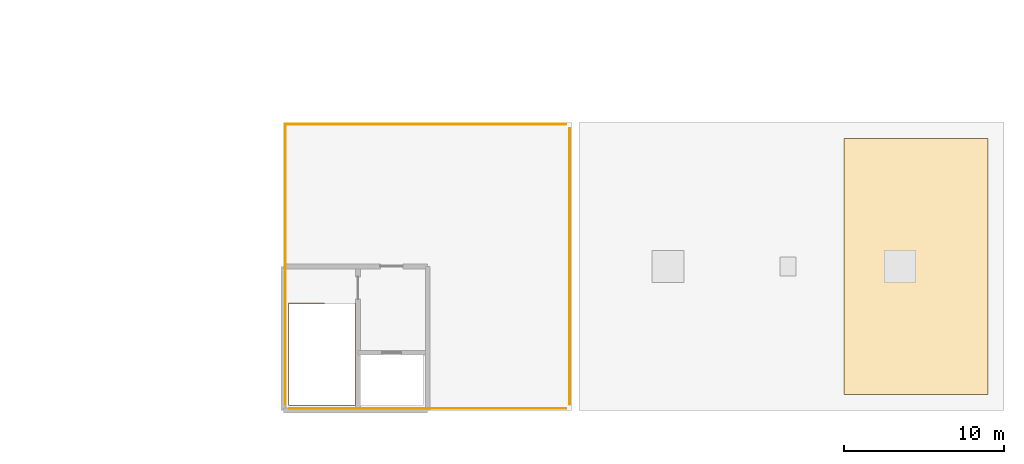
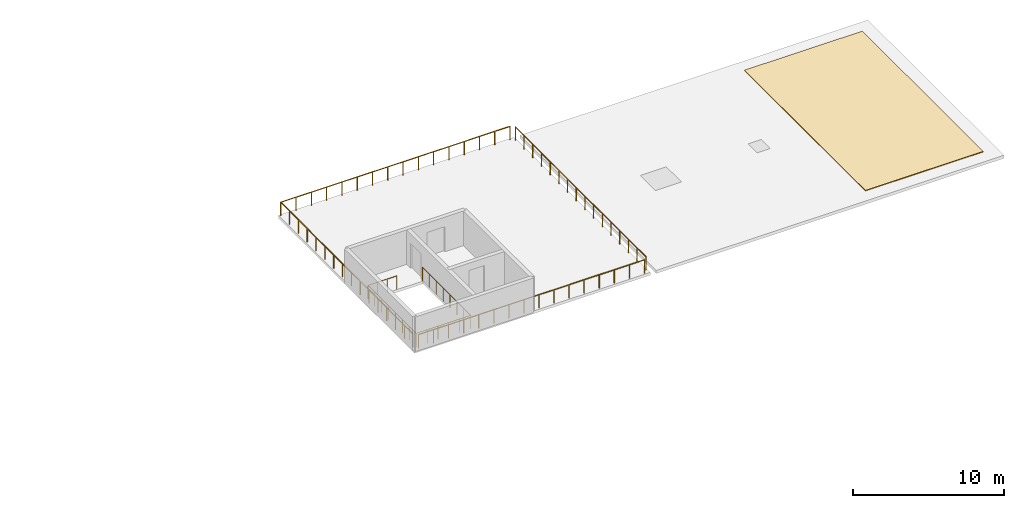
# One storey, part 30 of 30: 5 railings, 1 covering.
"""IFC4 building model written with IfcOpenShell, lengths in metres."""

import ifcopenshell
import ifcopenshell.guid

model = None  # the IFC model being written
_history = None  # IfcOwnerHistory: only IFC2X3 demands one
_inside = {}  # id of a spatial element -> (the spatial element, [elements in it])
_under = {}  # id of a project, library or spatial element -> (it, [spatial elements below it])
_declared = {}  # id of a project -> (the project, [libraries it declares])
_typed = {}  # id of a type object -> (the type object, [elements of that type])
_made_of = {}  # id of a material, layer set ... -> (it, [elements and type objects made of it])


def new_model(schema):
    """Start an empty IFC model of exactly this schema.

    Asked for "IFC4X3", IfcOpenShell would pick the latest addendum, in which some entities
    have other attributes; the version numbers below select the first issue.
    IFC2X3 requires an IfcOwnerHistory on every rooted entity: one is made here for all.
    """
    global model, _history
    if schema == "IFC4X3":
        model = ifcopenshell.file(schema_version=(4, 3, 0, 0))
    else:
        model = ifcopenshell.file(schema=schema)
    _inside.clear()
    _under.clear()
    _declared.clear()
    _typed.clear()
    _made_of.clear()
    _history = None
    if model.schema == "IFC2X3":
        org = make("IfcOrganization", Name="unknown")
        user = make(
            "IfcPersonAndOrganization",
            ThePerson=make("IfcPerson", FamilyName="unknown"),
            TheOrganization=org,
        )
        app = make(
            "IfcApplication",
            ApplicationDeveloper=org,
            Version="unknown",
            ApplicationFullName="unknown",
            ApplicationIdentifier="unknown",
        )
        _history = make(
            "IfcOwnerHistory",
            OwningUser=user,
            OwningApplication=app,
            ChangeAction="ADDED",
            CreationDate=0,
        )
    return model


def make(cls, **values):
    """One entity of the class cls with the attributes given. An attribute that is None is left unset."""
    return model.create_entity(
        cls, **{name: value for name, value in values.items() if value is not None}
    )


def rooted(cls, **values):
    """An entity with a GlobalId (a new one), such as an element, a storey or a relation."""
    return make(cls, GlobalId=ifcopenshell.guid.new(), OwnerHistory=_history, **values)


def si_unit(unit_type, name, prefix=None):
    """IfcSIUnit, for example si_unit("LENGTHUNIT", "METRE", prefix="MILLI")."""
    return make("IfcSIUnit", UnitType=unit_type, Prefix=prefix, Name=name)


def assignment(units):
    """IfcUnitAssignment: the units of a project."""
    return None if units is None else make("IfcUnitAssignment", Units=units)


def point(xyz):
    """IfcCartesianPoint."""
    return None if xyz is None else make("IfcCartesianPoint", Coordinates=xyz)


def direction(xyz):
    """IfcDirection."""
    return None if xyz is None else make("IfcDirection", DirectionRatios=xyz)


def frame(location, z_axis=None, x_axis=None):
    """IfcAxis2Placement3D, a coordinate frame: its origin and axes. An axis left out is left unset."""
    return make(
        "IfcAxis2Placement3D",
        Location=point(location),
        Axis=direction(z_axis),
        RefDirection=direction(x_axis),
    )


def frame_2d(location, x_axis=None):
    """IfcAxis2Placement2D, a coordinate frame in the plane: its origin and x axis."""
    return make(
        "IfcAxis2Placement2D", Location=point(location), RefDirection=direction(x_axis)
    )


def origin():
    """The frame at (0, 0, 0) with its axes left unset."""
    return frame((0.0, 0.0, 0.0))


def origin_2d():
    """The frame at (0, 0) in the plane with its x axis left unset."""
    return frame_2d((0.0, 0.0))


def place(relative_to, where):
    """IfcLocalPlacement: puts the frame where relative to a parent placement (None: the world)."""
    return make(
        "IfcLocalPlacement", PlacementRelTo=relative_to, RelativePlacement=where
    )


def context(
    kind, dimensions, precision=None, world=None, true_north=None, identifier=None
):
    """IfcGeometricRepresentationContext, for example the 3D "Model" context."""
    return make(
        "IfcGeometricRepresentationContext",
        ContextIdentifier=identifier,
        ContextType=kind,
        CoordinateSpaceDimension=dimensions,
        Precision=precision,
        WorldCoordinateSystem=world,
        TrueNorth=true_north,
    )


def subcontext(parent, identifier, kind, view, scale=None):
    """IfcGeometricRepresentationSubContext, for example "Body" below "Model"."""
    return make(
        "IfcGeometricRepresentationSubContext",
        ContextIdentifier=identifier,
        ContextType=kind,
        ParentContext=parent,
        TargetScale=scale,
        TargetView=view,
    )


def project(units=None, contexts=None):
    """IfcProject with its units and contexts."""
    return rooted(
        "IfcProject",
        Name="project",
        RepresentationContexts=contexts,
        UnitsInContext=assignment(units),
    )


def spatial(cls, under=None, at=None, **own):
    """A site, building, storey or space (cls), placed at a placement, below another one or the project."""
    s = rooted(cls, ObjectPlacement=at, **own)
    if under is not None:
        _under.setdefault(under.id(), (under, []))[1].append(s)
    return s


def polyline(points):
    """IfcPolyline through the points."""
    return make("IfcPolyline", Points=[point(p) for p in points])


def profile(cls, at=None, kind="AREA", **sizes):
    """A parametric profile (cls). Its sizes go by their IFC names, for example OverallWidth=200.0."""
    return make(cls, ProfileType=kind, Position=at, **sizes)


def circle(**sizes):
    """IfcCircleProfileDef."""
    return profile("IfcCircleProfileDef", **sizes)


def outline(outer, holes=None, kind="AREA"):
    """IfcArbitraryClosedProfileDef: a profile drawn as a closed curve; with holes, ...WithVoids."""
    if holes is None:
        return make("IfcArbitraryClosedProfileDef", ProfileType=kind, OuterCurve=outer)
    return make(
        "IfcArbitraryProfileDefWithVoids",
        ProfileType=kind,
        OuterCurve=outer,
        InnerCurves=holes,
    )


def extrude(swept, where, along, depth):
    """IfcExtrudedAreaSolid: the profile swept, set in the frame where, extruded along a direction by depth."""
    return make(
        "IfcExtrudedAreaSolid",
        SweptArea=swept,
        Position=where,
        ExtrudedDirection=direction(along),
        Depth=depth,
    )


def shape(context_of_items, identifier, shape_type, items):
    """IfcShapeRepresentation: the items that make up one representation, for example the "Body"."""
    return make(
        "IfcShapeRepresentation",
        ContextOfItems=context_of_items,
        RepresentationIdentifier=identifier,
        RepresentationType=shape_type,
        Items=items,
    )


def material(Name=None, Category=None):
    """IfcMaterial."""
    return make("IfcMaterial", Name=Name, Category=Category)


def layer(
    of_material, thickness, ventilated=None, Name=None, Category=None, Priority=None
):
    """IfcMaterialLayer: one layer of a wall or slab, of a material (None: an air gap)."""
    return make(
        "IfcMaterialLayer",
        Material=of_material,
        LayerThickness=thickness,
        IsVentilated=ventilated,
        Name=Name,
        Category=Category,
        Priority=Priority,
    )


def layer_set(layers, Name=None):
    """IfcMaterialLayerSet."""
    return make("IfcMaterialLayerSet", MaterialLayers=layers, LayerSetName=Name)


def made_of(thing, what):
    """Note that an element or type object is made of a material, layer set ...; save() writes the relation."""
    if what is not None:
        _made_of.setdefault(what.id(), (what, []))[1].append(thing)
    return thing


def type_object(cls, material=None, **own):
    """A type object (cls), such as IfcWallType, which elements share."""
    return made_of(rooted(cls, **own), material)


def element(
    cls,
    number,
    at=None,
    inside=None,
    cuts=None,
    type_object=None,
    material=None,
    context=None,
    identifier="Body",
    shape_type=None,
    held_by="IfcProductDefinitionShape",
    body=None,
    shapes=None,
    **own,
):
    """One element of the class cls, such as IfcWall. Its Tag is "e" and its number.

    at: its placement. inside: the storey or other place that contains it. cuts: it is an
    opening in that element (IfcRelVoidsElement). A single representation is given by context,
    identifier, shape_type and body (its items); several are given by shapes. held_by: the class
    of the entity that holds the representations. save() writes the other relations.
    """
    e = rooted(cls, Tag="e%d" % number, ObjectPlacement=at, **own)
    if body is not None:
        shapes = [shape(context, identifier, shape_type, body)]
    if shapes is not None:
        e.Representation = make(held_by, Representations=shapes)
    if inside is not None:
        _inside.setdefault(inside.id(), (inside, []))[1].append(e)
    if cuts is not None:
        rooted(
            "IfcRelVoidsElement", RelatingBuildingElement=cuts, RelatedOpeningElement=e
        )
    if type_object is not None:
        _typed.setdefault(type_object.id(), (type_object, []))[1].append(e)
    return made_of(e, material)


def aggregate(whole, parts):
    """IfcRelAggregates: a whole, such as a stair, and the parts it consists of."""
    return rooted("IfcRelAggregates", RelatingObject=whole, RelatedObjects=parts)


def save(model, path):
    """Write the relations noted so far, then the file.

    IfcRelAggregates (storeys below a building ...), IfcRelContainedInSpatialStructure (elements
    in a storey), IfcRelDefinesByType, IfcRelAssociatesMaterial and IfcRelDeclares: one each for
    every whole, place, type object, material and project.
    """
    for whole, parts in _under.values():
        aggregate(whole, parts)
    for where, things in _inside.values():
        rooted(
            "IfcRelContainedInSpatialStructure",
            RelatedElements=things,
            RelatingStructure=where,
        )
    for kind, things in _typed.values():
        rooted("IfcRelDefinesByType", RelatedObjects=things, RelatingType=kind)
    for what, things in _made_of.values():
        rooted("IfcRelAssociatesMaterial", RelatedObjects=things, RelatingMaterial=what)
    for by, libraries in _declared.values():
        rooted("IfcRelDeclares", RelatingContext=by, RelatedDefinitions=libraries)
    model.write(path)


model = new_model("IFC4")

# Units and contexts
model_context = context("Model", 3, precision=1e-05, world=origin(), true_north=direction((0.0, 1.0)))
body_context = subcontext(model_context, "Body", "Model", "MODEL_VIEW")
ifc_project = project(units=[si_unit("LENGTHUNIT", "METRE"), si_unit("AREAUNIT", "SQUARE_METRE"), si_unit("VOLUMEUNIT", "CUBIC_METRE"), si_unit("PLANEANGLEUNIT", "RADIAN"), si_unit("MASSUNIT", "GRAM", prefix="KILO")], contexts=[model_context])

# Site, building, storey
site_placement = place(None, origin())
site = spatial("IfcSite", under=ifc_project, at=site_placement, CompositionType="ELEMENT")
building_placement = place(site_placement, origin())
building = spatial("IfcBuilding", under=site, at=building_placement, Name="Palais des Congres Ocreval", CompositionType="ELEMENT")
storey_placement = place(building_placement, frame((0.0, 0.0, 14.56005859375)))
storey = spatial("IfcBuildingStorey", under=building, at=storey_placement, Name="L04", CompositionType="ELEMENT", Elevation=14.56005859375)

# Railings
ifc_material_1 = material(Name="Steel S355", Category="steel")
railing_type_1 = type_object("IfcRailingType", Name="Stairwell Steel Guardrail 1100", PredefinedType="GUARDRAIL", material=ifc_material_1)
railing_1_placement = place(storey_placement, frame((110.52001953125, 6.699951171875, 0.0)))
element("IfcRailing", 1, at=railing_1_placement, inside=storey, type_object=railing_type_1, Name="Top-Landing Stairwell Perimeter Guard ST09 L04", PredefinedType="GUARDRAIL", context=body_context, shape_type="SweptSolid", body=[
    extrude(circle(Radius=0.02392578125, at=origin_2d()), frame((0.0, 0.0, 1.076171875), z_axis=(-1.0, 0.0, 0.0), x_axis=(0.0, -1.0, 0.0)), (0.0, 0.0, 1.0), 2.199951171875),
    extrude(circle(Radius=0.02392578125, at=origin_2d()), frame((-2.199951171875, 0.0, 1.076171875), z_axis=(0.0, -1.0, 0.0), x_axis=(1.0, 0.0, 0.0)), (0.0, 0.0, 1.0), 6.3798828125),
    extrude(circle(Radius=0.02392578125, at=origin_2d()), frame((-2.199951171875, -6.3798828125, 1.076171875), z_axis=(1.0, 0.0, 0.0), x_axis=(0.0, 1.0, 0.0)), (0.0, 0.0, 1.0), 4.159912109375),
    extrude(circle(Radius=0.02392578125, at=origin_2d()), frame((1.9599609375, -6.3798828125, 1.076171875), z_axis=(0.0, 1.0, 0.0), x_axis=(-1.0, 0.0, 0.0)), (0.0, 0.0, 1.0), 6.3798828125),
    extrude(circle(Radius=0.02099609375, at=origin_2d()), origin(), (0.0, 0.0, 1.0), 1.052001953125),
    extrude(circle(Radius=0.02099609375, at=origin_2d()), frame((-0.7333984375, 0.0, 0.0)), (0.0, 0.0, 1.0), 1.052001953125),
    extrude(circle(Radius=0.02099609375, at=origin_2d()), frame((-1.466552734375, 0.0, 0.0)), (0.0, 0.0, 1.0), 1.052001953125),
    extrude(circle(Radius=0.02099609375, at=origin_2d()), frame((-2.199951171875, 0.0, 0.0)), (0.0, 0.0, 1.0), 1.052001953125),
    extrude(circle(Radius=0.02099609375, at=origin_2d()), frame((-2.199951171875, -0.911376953125, 0.0)), (0.0, 0.0, 1.0), 1.052001953125),
    extrude(circle(Radius=0.02099609375, at=origin_2d()), frame((-2.199951171875, -1.82275390625, 0.0)), (0.0, 0.0, 1.0), 1.052001953125),
    extrude(circle(Radius=0.02099609375, at=origin_2d()), frame((-2.199951171875, -2.734130859375, 0.0)), (0.0, 0.0, 1.0), 1.052001953125),
    extrude(circle(Radius=0.02099609375, at=origin_2d()), frame((-2.199951171875, -3.645751953125, 0.0)), (0.0, 0.0, 1.0), 1.052001953125),
    extrude(circle(Radius=0.02099609375, at=origin_2d()), frame((-2.199951171875, -4.55712890625, 0.0)), (0.0, 0.0, 1.0), 1.052001953125),
    extrude(circle(Radius=0.02099609375, at=origin_2d()), frame((-2.199951171875, -5.468505859375, 0.0)), (0.0, 0.0, 1.0), 1.052001953125),
    extrude(circle(Radius=0.02099609375, at=origin_2d()), frame((-2.199951171875, -6.3798828125, 0.0)), (0.0, 0.0, 1.0), 1.052001953125),
    extrude(circle(Radius=0.02099609375, at=origin_2d()), frame((-1.367919921875, -6.3798828125, 0.0)), (0.0, 0.0, 1.0), 1.052001953125),
    extrude(circle(Radius=0.02099609375, at=origin_2d()), frame((-0.535888671875, -6.3798828125, 0.0)), (0.0, 0.0, 1.0), 1.052001953125),
    extrude(circle(Radius=0.02099609375, at=origin_2d()), frame((0.2958984375, -6.3798828125, 0.0)), (0.0, 0.0, 1.0), 1.052001953125),
    extrude(circle(Radius=0.02099609375, at=origin_2d()), frame((1.1279296875, -6.3798828125, 0.0)), (0.0, 0.0, 1.0), 1.052001953125),
    extrude(circle(Radius=0.02099609375, at=origin_2d()), frame((1.9599609375, -6.3798828125, 0.0)), (0.0, 0.0, 1.0), 1.052001953125),
    extrude(circle(Radius=0.02099609375, at=origin_2d()), frame((1.9599609375, -5.468505859375, 0.0)), (0.0, 0.0, 1.0), 1.052001953125),
    extrude(circle(Radius=0.02099609375, at=origin_2d()), frame((1.9599609375, -4.55712890625, 0.0)), (0.0, 0.0, 1.0), 1.052001953125),
    extrude(circle(Radius=0.02099609375, at=origin_2d()), frame((1.9599609375, -3.645751953125, 0.0)), (0.0, 0.0, 1.0), 1.052001953125),
    extrude(circle(Radius=0.02099609375, at=origin_2d()), frame((1.9599609375, -2.734130859375, 0.0)), (0.0, 0.0, 1.0), 1.052001953125),
    extrude(circle(Radius=0.02099609375, at=origin_2d()), frame((1.9599609375, -1.82275390625, 0.0)), (0.0, 0.0, 1.0), 1.052001953125),
    extrude(circle(Radius=0.02099609375, at=origin_2d()), frame((1.9599609375, -0.911376953125, 0.0)), (0.0, 0.0, 1.0), 1.052001953125),
    extrude(circle(Radius=0.02099609375, at=origin_2d()), frame((1.9599609375, 0.0, 0.0)), (0.0, 0.0, 1.0), 1.052001953125),
])
ifc_material_2 = material(Name="Anodized bronze aluminium", Category="aluminium")
railing_type_2 = type_object("IfcRailingType", Name="Terrace Bronze Balustrade 1100", PredefinedType="BALUSTRADE", material=ifc_material_2)
railing_2_placement = place(storey_placement, frame((108.3798828125, 0.1201171875, 0.0)))
element("IfcRailing", 2, at=railing_2_placement, inside=storey, type_object=railing_type_2, Name="Terrace Guard Balustrade TER-L04-V3-1", PredefinedType="BALUSTRADE", context=body_context, shape_type="SweptSolid", body=[
    extrude(circle(Radius=0.02392578125, at=origin_2d()), frame((0.0, 0.0, 1.076171875), z_axis=(1.0, 0.0, 0.0), x_axis=(0.0, 1.0, 0.0)), (0.0, 0.0, 1.0), 17.240234375),
    extrude(circle(Radius=0.02099609375, at=origin_2d()), origin(), (0.0, 0.0, 1.0), 1.052001953125),
    extrude(circle(Radius=0.02099609375, at=origin_2d()), frame((1.1494140625, 0.0, 0.0)), (0.0, 0.0, 1.0), 1.052001953125),
    extrude(circle(Radius=0.02099609375, at=origin_2d()), frame((2.298583984375, 0.0, 0.0)), (0.0, 0.0, 1.0), 1.052001953125),
    extrude(circle(Radius=0.02099609375, at=origin_2d()), frame((3.447998046875, 0.0, 0.0)), (0.0, 0.0, 1.0), 1.052001953125),
    extrude(circle(Radius=0.02099609375, at=origin_2d()), frame((4.597412109375, 0.0, 0.0)), (0.0, 0.0, 1.0), 1.052001953125),
    extrude(circle(Radius=0.02099609375, at=origin_2d()), frame((5.746826171875, 0.0, 0.0)), (0.0, 0.0, 1.0), 1.052001953125),
    extrude(circle(Radius=0.02099609375, at=origin_2d()), frame((6.89599609375, 0.0, 0.0)), (0.0, 0.0, 1.0), 1.052001953125),
    extrude(circle(Radius=0.02099609375, at=origin_2d()), frame((8.04541015625, 0.0, 0.0)), (0.0, 0.0, 1.0), 1.052001953125),
    extrude(circle(Radius=0.02099609375, at=origin_2d()), frame((9.19482421875, 0.0, 0.0)), (0.0, 0.0, 1.0), 1.052001953125),
    extrude(circle(Radius=0.02099609375, at=origin_2d()), frame((10.34423828125, 0.0, 0.0)), (0.0, 0.0, 1.0), 1.052001953125),
    extrude(circle(Radius=0.02099609375, at=origin_2d()), frame((11.493408203125, 0.0, 0.0)), (0.0, 0.0, 1.0), 1.052001953125),
    extrude(circle(Radius=0.02099609375, at=origin_2d()), frame((12.642822265625, 0.0, 0.0)), (0.0, 0.0, 1.0), 1.052001953125),
    extrude(circle(Radius=0.02099609375, at=origin_2d()), frame((13.792236328125, 0.0, 0.0)), (0.0, 0.0, 1.0), 1.052001953125),
    extrude(circle(Radius=0.02099609375, at=origin_2d()), frame((14.941650390625, 0.0, 0.0)), (0.0, 0.0, 1.0), 1.052001953125),
    extrude(circle(Radius=0.02099609375, at=origin_2d()), frame((16.0908203125, 0.0, 0.0)), (0.0, 0.0, 1.0), 1.052001953125),
    extrude(circle(Radius=0.02099609375, at=origin_2d()), frame((17.240234375, 0.0, 0.0)), (0.0, 0.0, 1.0), 1.052001953125),
])
railing_3_placement = place(storey_placement, frame((125.8798828125, 0.3798828125, 0.0)))
element("IfcRailing", 3, at=railing_3_placement, inside=storey, type_object=railing_type_2, Name="Terrace Guard Balustrade TER-L04-V3-2", PredefinedType="BALUSTRADE", context=body_context, shape_type="SweptSolid", body=[
    extrude(circle(Radius=0.02392578125, at=origin_2d()), frame((0.0, 0.0, 1.076171875), z_axis=(0.0, 1.0, 0.0), x_axis=(-1.0, 0.0, 0.0)), (0.0, 0.0, 1.0), 17.240234375),
    extrude(circle(Radius=0.02099609375, at=origin_2d()), origin(), (0.0, 0.0, 1.0), 1.052001953125),
    extrude(circle(Radius=0.02099609375, at=origin_2d()), frame((0.0, 1.1494140625, 0.0)), (0.0, 0.0, 1.0), 1.052001953125),
    extrude(circle(Radius=0.02099609375, at=origin_2d()), frame((0.0, 2.298583984375, 0.0)), (0.0, 0.0, 1.0), 1.052001953125),
    extrude(circle(Radius=0.02099609375, at=origin_2d()), frame((0.0, 3.447998046875, 0.0)), (0.0, 0.0, 1.0), 1.052001953125),
    extrude(circle(Radius=0.02099609375, at=origin_2d()), frame((0.0, 4.597412109375, 0.0)), (0.0, 0.0, 1.0), 1.052001953125),
    extrude(circle(Radius=0.02099609375, at=origin_2d()), frame((0.0, 5.746826171875, 0.0)), (0.0, 0.0, 1.0), 1.052001953125),
    extrude(circle(Radius=0.02099609375, at=origin_2d()), frame((0.0, 6.89599609375, 0.0)), (0.0, 0.0, 1.0), 1.052001953125),
    extrude(circle(Radius=0.02099609375, at=origin_2d()), frame((0.0, 8.04541015625, 0.0)), (0.0, 0.0, 1.0), 1.052001953125),
    extrude(circle(Radius=0.02099609375, at=origin_2d()), frame((0.0, 9.19482421875, 0.0)), (0.0, 0.0, 1.0), 1.052001953125),
    extrude(circle(Radius=0.02099609375, at=origin_2d()), frame((0.0, 10.34423828125, 0.0)), (0.0, 0.0, 1.0), 1.052001953125),
    extrude(circle(Radius=0.02099609375, at=origin_2d()), frame((0.0, 11.493408203125, 0.0)), (0.0, 0.0, 1.0), 1.052001953125),
    extrude(circle(Radius=0.02099609375, at=origin_2d()), frame((0.0, 12.642822265625, 0.0)), (0.0, 0.0, 1.0), 1.052001953125),
    extrude(circle(Radius=0.02099609375, at=origin_2d()), frame((0.0, 13.792236328125, 0.0)), (0.0, 0.0, 1.0), 1.052001953125),
    extrude(circle(Radius=0.02099609375, at=origin_2d()), frame((0.0, 14.941650390625, 0.0)), (0.0, 0.0, 1.0), 1.052001953125),
    extrude(circle(Radius=0.02099609375, at=origin_2d()), frame((0.0, 16.0908203125, 0.0)), (0.0, 0.0, 1.0), 1.052001953125),
    extrude(circle(Radius=0.02099609375, at=origin_2d()), frame((0.0, 17.240234375, 0.0)), (0.0, 0.0, 1.0), 1.052001953125),
])
railing_4_placement = place(storey_placement, frame((125.6201171875, 17.8798828125, 0.0)))
element("IfcRailing", 4, at=railing_4_placement, inside=storey, type_object=railing_type_2, Name="Terrace Guard Balustrade TER-L04-V3-3", PredefinedType="BALUSTRADE", context=body_context, shape_type="SweptSolid", body=[
    extrude(circle(Radius=0.02392578125, at=origin_2d()), frame((0.0, 0.0, 1.076171875), z_axis=(-1.0, 0.0, 0.0), x_axis=(0.0, -1.0, 0.0)), (0.0, 0.0, 1.0), 17.5),
    extrude(circle(Radius=0.02099609375, at=origin_2d()), origin(), (0.0, 0.0, 1.0), 1.052001953125),
    extrude(circle(Radius=0.02099609375, at=origin_2d()), frame((-1.166748046875, 0.0, 0.0)), (0.0, 0.0, 1.0), 1.052001953125),
    extrude(circle(Radius=0.02099609375, at=origin_2d()), frame((-2.333251953125, 0.0, 0.0)), (0.0, 0.0, 1.0), 1.052001953125),
    extrude(circle(Radius=0.02099609375, at=origin_2d()), frame((-3.5, 0.0, 0.0)), (0.0, 0.0, 1.0), 1.052001953125),
    extrude(circle(Radius=0.02099609375, at=origin_2d()), frame((-4.666748046875, 0.0, 0.0)), (0.0, 0.0, 1.0), 1.052001953125),
    extrude(circle(Radius=0.02099609375, at=origin_2d()), frame((-5.833251953125, 0.0, 0.0)), (0.0, 0.0, 1.0), 1.052001953125),
    extrude(circle(Radius=0.02099609375, at=origin_2d()), frame((-7.0, 0.0, 0.0)), (0.0, 0.0, 1.0), 1.052001953125),
    extrude(circle(Radius=0.02099609375, at=origin_2d()), frame((-8.166748046875, 0.0, 0.0)), (0.0, 0.0, 1.0), 1.052001953125),
    extrude(circle(Radius=0.02099609375, at=origin_2d()), frame((-9.333251953125, 0.0, 0.0)), (0.0, 0.0, 1.0), 1.052001953125),
    extrude(circle(Radius=0.02099609375, at=origin_2d()), frame((-10.5, 0.0, 0.0)), (0.0, 0.0, 1.0), 1.052001953125),
    extrude(circle(Radius=0.02099609375, at=origin_2d()), frame((-11.666748046875, 0.0, 0.0)), (0.0, 0.0, 1.0), 1.052001953125),
    extrude(circle(Radius=0.02099609375, at=origin_2d()), frame((-12.833251953125, 0.0, 0.0)), (0.0, 0.0, 1.0), 1.052001953125),
    extrude(circle(Radius=0.02099609375, at=origin_2d()), frame((-14.0, 0.0, 0.0)), (0.0, 0.0, 1.0), 1.052001953125),
    extrude(circle(Radius=0.02099609375, at=origin_2d()), frame((-15.166748046875, 0.0, 0.0)), (0.0, 0.0, 1.0), 1.052001953125),
    extrude(circle(Radius=0.02099609375, at=origin_2d()), frame((-16.333251953125, 0.0, 0.0)), (0.0, 0.0, 1.0), 1.052001953125),
    extrude(circle(Radius=0.02099609375, at=origin_2d()), frame((-17.5, 0.0, 0.0)), (0.0, 0.0, 1.0), 1.052001953125),
])
railing_5_placement = place(storey_placement, frame((108.1201171875, 17.8798828125, 0.0)))
element("IfcRailing", 5, at=railing_5_placement, inside=storey, type_object=railing_type_2, Name="Terrace Guard Balustrade TER-L04-V3-4", PredefinedType="BALUSTRADE", context=body_context, shape_type="SweptSolid", body=[
    extrude(circle(Radius=0.02392578125, at=origin_2d()), frame((0.0, 0.0, 1.076171875), z_axis=(0.0, -1.0, 0.0), x_axis=(1.0, 0.0, 0.0)), (0.0, 0.0, 1.0), 17.5),
    extrude(circle(Radius=0.02099609375, at=origin_2d()), origin(), (0.0, 0.0, 1.0), 1.052001953125),
    extrude(circle(Radius=0.02099609375, at=origin_2d()), frame((0.0, -1.166748046875, 0.0)), (0.0, 0.0, 1.0), 1.052001953125),
    extrude(circle(Radius=0.02099609375, at=origin_2d()), frame((0.0, -2.333251953125, 0.0)), (0.0, 0.0, 1.0), 1.052001953125),
    extrude(circle(Radius=0.02099609375, at=origin_2d()), frame((0.0, -3.5, 0.0)), (0.0, 0.0, 1.0), 1.052001953125),
    extrude(circle(Radius=0.02099609375, at=origin_2d()), frame((0.0, -4.666748046875, 0.0)), (0.0, 0.0, 1.0), 1.052001953125),
    extrude(circle(Radius=0.02099609375, at=origin_2d()), frame((0.0, -5.833251953125, 0.0)), (0.0, 0.0, 1.0), 1.052001953125),
    extrude(circle(Radius=0.02099609375, at=origin_2d()), frame((0.0, -7.0, 0.0)), (0.0, 0.0, 1.0), 1.052001953125),
    extrude(circle(Radius=0.02099609375, at=origin_2d()), frame((0.0, -8.166748046875, 0.0)), (0.0, 0.0, 1.0), 1.052001953125),
    extrude(circle(Radius=0.02099609375, at=origin_2d()), frame((0.0, -9.333251953125, 0.0)), (0.0, 0.0, 1.0), 1.052001953125),
    extrude(circle(Radius=0.02099609375, at=origin_2d()), frame((0.0, -10.5, 0.0)), (0.0, 0.0, 1.0), 1.052001953125),
    extrude(circle(Radius=0.02099609375, at=origin_2d()), frame((0.0, -11.666748046875, 0.0)), (0.0, 0.0, 1.0), 1.052001953125),
    extrude(circle(Radius=0.02099609375, at=origin_2d()), frame((0.0, -12.833251953125, 0.0)), (0.0, 0.0, 1.0), 1.052001953125),
    extrude(circle(Radius=0.02099609375, at=origin_2d()), frame((0.0, -14.0, 0.0)), (0.0, 0.0, 1.0), 1.052001953125),
    extrude(circle(Radius=0.02099609375, at=origin_2d()), frame((0.0, -15.166748046875, 0.0)), (0.0, 0.0, 1.0), 1.052001953125),
    extrude(circle(Radius=0.02099609375, at=origin_2d()), frame((0.0, -16.333251953125, 0.0)), (0.0, 0.0, 1.0), 1.052001953125),
    extrude(circle(Radius=0.02099609375, at=origin_2d()), frame((0.0, -17.5, 0.0)), (0.0, 0.0, 1.0), 1.052001953125),
])

# Covering
ifc_material_3 = material(Name="Planted roof substrate and EPDM membrane")
ifc_layer = layer(ifc_material_3, 0.06005859375)
ifc_layer_set = layer_set([ifc_layer], Name="Vegetated Intensive Roof Membrane 60 (Planted roof substrate and EPDM membrane)")
covering_type = type_object("IfcCoveringType", Name="Vegetated Intensive Roof Membrane 60", PredefinedType="ROOFING", material=ifc_layer_set)
covering_placement = place(storey_placement, origin())
element("IfcCovering", 6, at=covering_placement, inside=storey, type_object=covering_type, Name="Vegetated Roof Covering CV01 L04-6", PredefinedType="ROOFING", context=body_context, shape_type="SweptSolid", body=[
    extrude(outline(polyline([(143.0, 1.0), (152.0, 1.0), (152.0, 17.0), (143.0, 17.0), (143.0, 1.0)])), origin(), (0.0, 0.0, 1.0), 0.06005859375),
])

save(model, "model.ifc")
